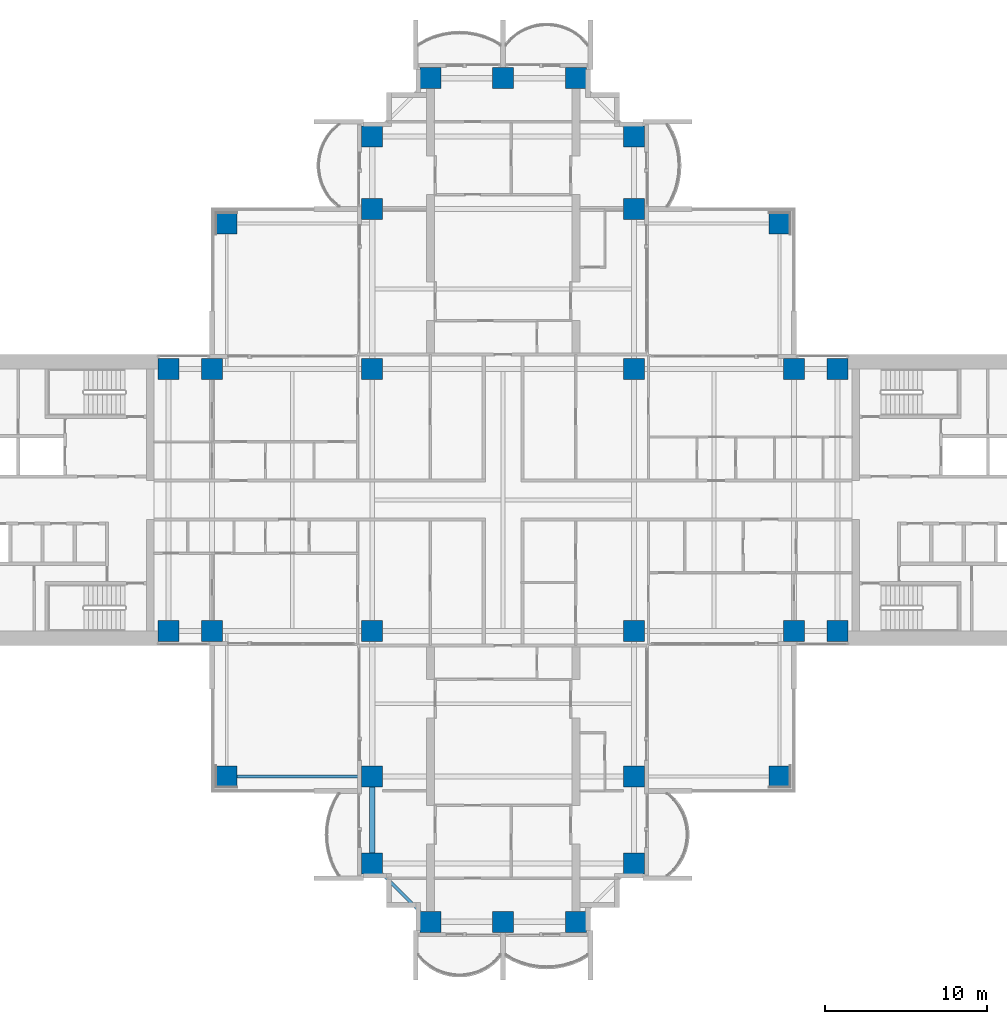
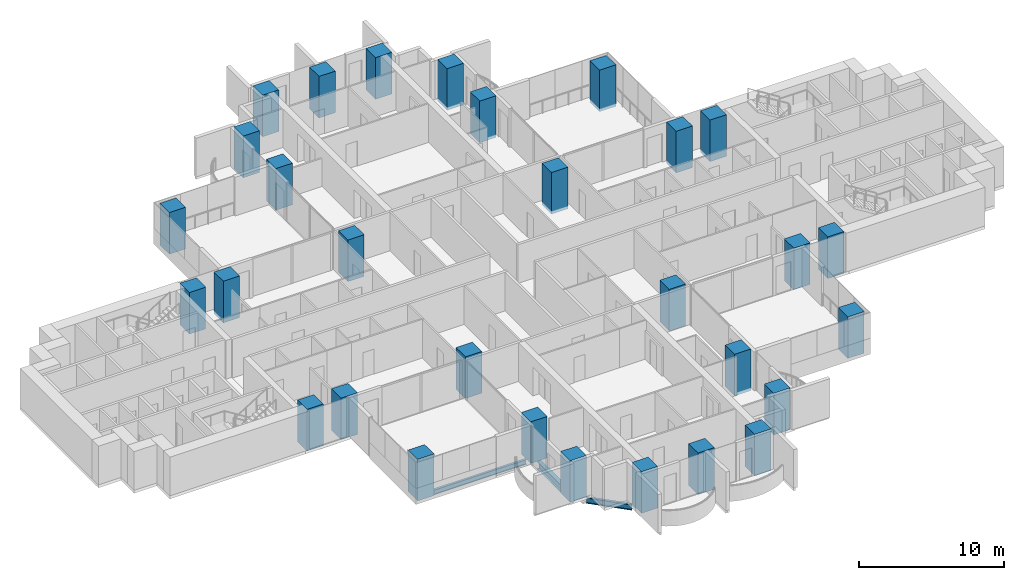
# One storey, part 1 of 20: 30 columns, 3 beams.
"""IFC4 building model written with IfcOpenShell, lengths in metres."""

from ifc_helpers import new_model, si_unit, direction, frame, origin, origin_2d, place, context, subcontext, project, spatial, rectangle, i_section, extrude, material, material_profile, profile_set, type_object, element, save


model = new_model("IFC4")

# Units and contexts
model_context = context("Model", 3, precision=1e-05, world=origin(), true_north=direction((0.0, 1.0)))
body_context = subcontext(model_context, "Body", "Model", "MODEL_VIEW")
ifc_project = project(units=[si_unit("LENGTHUNIT", "METRE"), si_unit("AREAUNIT", "SQUARE_METRE"), si_unit("VOLUMEUNIT", "CUBIC_METRE"), si_unit("PLANEANGLEUNIT", "RADIAN"), si_unit("MASSUNIT", "GRAM", prefix="KILO")], contexts=[model_context])

# Site, building, storey
site_placement = place(None, origin())
site = spatial("IfcSite", under=ifc_project, at=site_placement, CompositionType="ELEMENT")
building_placement = place(site_placement, origin())
building = spatial("IfcBuilding", under=site, at=building_placement, Name="Perihelion Cross Residences", CompositionType="ELEMENT")
storey_placement = place(building_placement, frame((0.0, 0.0, 78.5)))
storey = spatial("IfcBuildingStorey", under=building, at=storey_placement, Name="L17", CompositionType="ELEMENT", Elevation=78.5)

# Columns
ifc_material_1 = material(Name="Concrete C70/85", Category="concrete")
ifc_material_profile_1 = material_profile(ifc_material_1, rectangle(XDim=1.300048828125, YDim=1.300048828125, at=origin_2d()), Name="RC 1300x1300")
ifc_profile_set_1 = profile_set([ifc_material_profile_1], Name="Concrete C70/85")
column_type = type_object("IfcColumnType", Name="Reinforced concrete column 1300x1300 C70/85", PredefinedType="COLUMN", material=ifc_profile_set_1)
for number, where, z_axis, x_axis, name in (
    (1, (-20.699951171875, -8.10009765625, -0.25), (0.0, 0.0, 1.0), (1.0, 0.0, 0.0), "Column C017 L17 no. 1"),
    (2, (-20.699951171875, 8.10009765625, -0.25), (0.0, 0.0, 1.0), (1.0, 0.0, 0.0), "Column C010 L17 no. 1"),
    (3, (-18.0, -8.10009765625, -0.25), (0.0, 0.0, 1.0), (1.0, 0.0, 0.0), "Column C018 L17 no. 1"),
    (4, (-18.0, 8.10009765625, -0.25), (0.0, 0.0, 1.0), (1.0, 0.0, 0.0), "Column C011 L17 no. 1"),
    (5, (-8.10009765625, -22.5, -0.25), (0.0, 0.0, 1.0), (1.0, 0.0, 0.0), "Column C040 L17 no. 1"),
    (6, (-8.10009765625, -17.10009765625, -0.25), (0.0, 0.0, 1.0), (1.0, 0.0, 0.0), "Column C031 L17 no. 1"),
    (7, (-8.10009765625, -8.10009765625, -0.25), (0.0, 0.0, 1.0), (1.0, 0.0, 0.0), "Column C019 L17 no. 1"),
    (8, (-8.10009765625, 8.10009765625, -0.25), (0.0, 0.0, 1.0), (1.0, 0.0, 0.0), "Column C012 L17 no. 1"),
    (9, (-8.10009765625, 18.0, -0.25), (0.0, 0.0, 1.0), (1.0, 0.0, 0.0), "Column C006 L17 no. 1"),
    (10, (-8.10009765625, 22.5, -0.25), (0.0, 0.0, 1.0), (1.0, 0.0, 0.0), "Column C004 L17 no. 1"),
    (11, (-4.5, -26.10009765625, -0.25), (0.0, 0.0, 1.0), (1.0, 0.0, 0.0), "Column C042 L17 no. 1"),
    (12, (-4.5, 26.10009765625, -0.25), (0.0, 0.0, 1.0), (1.0, 0.0, 0.0), "Column C001 L17 no. 1"),
    (13, (0.0, -26.10009765625, -0.25), (0.0, 0.0, 1.0), (1.0, 0.0, 0.0), "Column C043 L17 no. 1"),
    (14, (0.0, 26.10009765625, -0.25), (0.0, 0.0, 1.0), (1.0, 0.0, 0.0), "Column C002 L17 no. 1"),
    (15, (4.5, -26.10009765625, -0.25), (0.0, 0.0, 1.0), (1.0, 0.0, 0.0), "Column C044 L17 no. 1"),
    (16, (4.5, 26.10009765625, -0.25), (0.0, 0.0, 1.0), (1.0, 0.0, 0.0), "Column C003 L17 no. 1"),
    (17, (8.10009765625, -22.5, -0.25), (0.0, 0.0, 1.0), (1.0, 0.0, 0.0), "Column C041 L17 no. 1"),
    (18, (8.10009765625, -17.10009765625, -0.25), (0.0, 0.0, 1.0), (1.0, 0.0, 0.0), "Column C035 L17 no. 1"),
    (19, (8.10009765625, -8.10009765625, -0.25), (0.0, 0.0, 1.0), (1.0, 0.0, 0.0), "Column C020 L17 no. 1"),
    (20, (8.10009765625, 8.10009765625, -0.25), (0.0, 0.0, 1.0), (1.0, 0.0, 0.0), "Column C014 L17 no. 1"),
    (21, (8.10009765625, 18.0, -0.25), (0.0, 0.0, 1.0), (1.0, 0.0, 0.0), "Column C007 L17 no. 1"),
    (22, (8.10009765625, 22.5, -0.25), (0.0, 0.0, 1.0), (1.0, 0.0, 0.0), "Column C005 L17 no. 1"),
    (23, (18.0, -8.10009765625, -0.25), (0.0, 0.0, 1.0), (1.0, 0.0, 0.0), "Column C021 L17 no. 1"),
    (24, (18.0, 8.10009765625, -0.25), (0.0, 0.0, 1.0), (1.0, 0.0, 0.0), "Column C015 L17 no. 1"),
    (25, (20.699951171875, -8.10009765625, -0.25), (0.0, 0.0, 1.0), (1.0, 0.0, 0.0), "Column C022 L17 no. 1"),
    (26, (20.699951171875, 8.10009765625, -0.25), (0.0, 0.0, 1.0), (1.0, 0.0, 0.0), "Column C016 L17 no. 1"),
    (27, (17.10009765625, 17.10009765625, -0.25), (0.0, 0.0, 1.0), (1.0, 0.0, 0.0), "Column C009 L17 no. 1"),
    (28, (-17.10009765625, 17.10009765625, -0.25), (0.0, 0.0, 1.0), (1.0, 0.0, 0.0), "Column C008 L17 no. 1"),
    (29, (-17.10009765625, -17.10009765625, -0.25), (0.0, 0.0, 1.0), (1.0, 0.0, 0.0), "Column C030 L17 no. 1"),
    (30, (17.10009765625, -17.10009765625, -0.25), (0.0, 0.0, 1.0), (1.0, 0.0, 0.0), "Column C036 L17 no. 1"),
):
    element("IfcColumn", number, at=place(storey_placement, frame(where, z_axis=z_axis, x_axis=x_axis)), inside=storey, type_object=column_type, Name=name, PredefinedType="COLUMN", context=body_context, shape_type="SweptSolid", body=[
        extrude(rectangle(XDim=1.300048828125, YDim=1.300048828125, at=origin_2d()), origin(), (0.0, 0.0, 1.0), 3.5),
    ])

# Beams
ifc_material_2 = material(Name="Steel S355", Category="steel")
ifc_material_profile_2 = material_profile(ifc_material_2, i_section(OverallWidth=0.177978515625, OverallDepth=0.406005859375, WebThickness=0.0078125, FlangeThickness=0.0126953125, at=origin_2d()), Name="W410x60")
ifc_profile_set_2 = profile_set([ifc_material_profile_2], Name="Steel S355")
beam_type_1 = type_object("IfcBeamType", Name="Core edge beam W410x60", PredefinedType="BEAM", material=ifc_profile_set_2)
beam_1_placement = place(storey_placement, frame((-8.75, -17.10009765625, -0.452880859375), z_axis=(-1.0, 0.0, 0.0), x_axis=(0.0, -1.0, 0.0)))
element("IfcBeam", 31, at=beam_1_placement, inside=storey, type_object=beam_type_1, Name="Core edge beam TB2 L17 corner no. 2", PredefinedType="BEAM", context=body_context, shape_type="SweptSolid", body=[
    extrude(i_section(OverallWidth=0.177978515625, OverallDepth=0.406005859375, WebThickness=0.0078125, FlangeThickness=0.0126953125, at=origin_2d()), origin(), (0.0, 0.0, 1.0), 7.699951171875),
])
ifc_material_3 = material(Name="Steel S355", Category="steel")
ifc_material_profile_3 = material_profile(ifc_material_3, i_section(OverallWidth=0.324951171875, OverallDepth=0.616943359375, WebThickness=0.013916015625, FlangeThickness=0.021484375, at=origin_2d()), Name="W610x174")
ifc_profile_set_3 = profile_set([ifc_material_profile_3], Name="Steel S355")
beam_type_2 = type_object("IfcBeamType", Name="Edge beam W610x174", PredefinedType="SPANDREL", material=ifc_profile_set_3)
beam_2_placement = place(storey_placement, frame((-8.10009765625, -17.75, -0.55859375), z_axis=(0.0, -1.0, 0.0), x_axis=(1.0, 0.0, 0.0)))
element("IfcBeam", 32, at=beam_2_placement, inside=storey, type_object=beam_type_2, Name="Edge beam SB2 L17 no. 5", PredefinedType="SPANDREL", context=body_context, shape_type="SweptSolid", body=[
    extrude(i_section(OverallWidth=0.324951171875, OverallDepth=0.616943359375, WebThickness=0.013916015625, FlangeThickness=0.021484375, at=origin_2d()), origin(), (0.0, 0.0, 1.0), 4.10009765625),
])
ifc_material_4 = material(Name="Steel S355", Category="steel")
ifc_material_profile_4 = material_profile(ifc_material_4, i_section(OverallWidth=0.194091796875, OverallDepth=0.469970703125, WebThickness=0.0126953125, FlangeThickness=0.0205078125, at=origin_2d()), Name="W460x106")
ifc_profile_set_4 = profile_set([ifc_material_profile_4], Name="Steel S355")
beam_type_3 = type_object("IfcBeamType", Name="Serration edge beam W460x106", PredefinedType="BEAM", material=ifc_profile_set_4)
beam_3_placement = place(storey_placement, frame((-7.449951171875, -23.14990234375, -0.485107421875), z_axis=(0.707106781187, -0.707106781187, 0.0), x_axis=(0.707106781187, 0.707106781187, 0.0)))
element("IfcBeam", 33, at=beam_3_placement, inside=storey, type_object=beam_type_3, Name="Serration edge beam EB2 L17 no. 2", PredefinedType="BEAM", context=body_context, shape_type="SweptSolid", body=[
    extrude(i_section(OverallWidth=0.194091796875, OverallDepth=0.469970703125, WebThickness=0.0126953125, FlangeThickness=0.0205078125, at=origin_2d()), origin(), (0.0, 0.0, 1.0), 3.252685546875),
])

save(model, "model.ifc")
